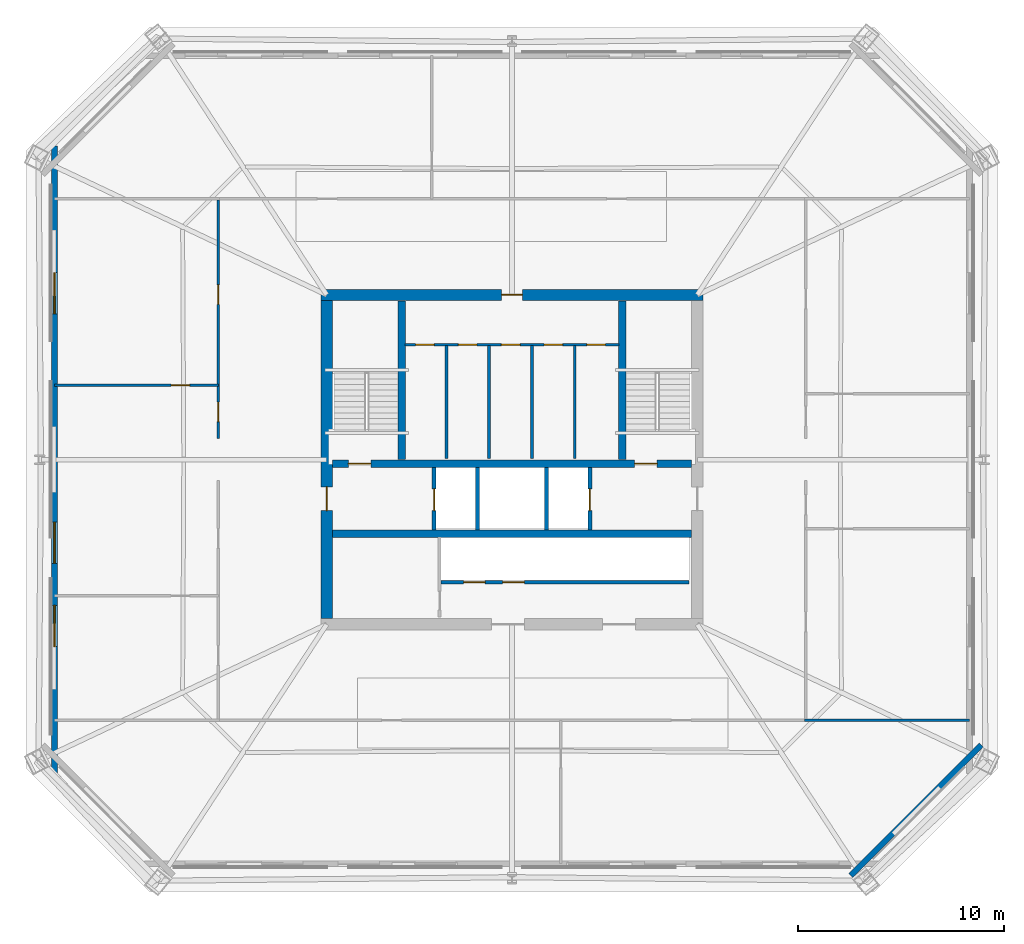
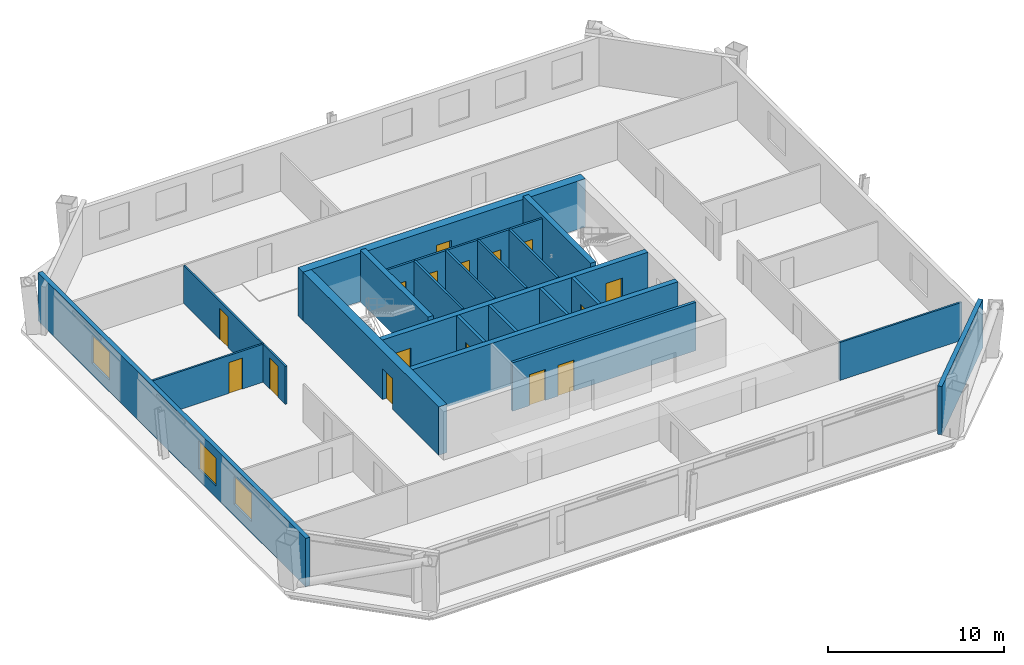
# One storey, part 3 of 7: 21 walls, 16 doors, 3 windows, 19 openings.
"""IFC4 building model written with IfcOpenShell, lengths in metres."""

from ifc_helpers import new_model, si_unit, direction, frame, frame_2d, origin, place, context, subcontext, project, spatial, rectangle, extrude, material, layer, layer_set, type_object, element, fill, save


model = new_model("IFC4")

# Units and contexts
model_context = context("Model", 3, precision=1e-05, world=origin(), true_north=direction((0.0, 1.0)))
body_context = subcontext(model_context, "Body", "Model", "MODEL_VIEW")
ifc_project = project(units=[si_unit("LENGTHUNIT", "METRE"), si_unit("AREAUNIT", "SQUARE_METRE"), si_unit("VOLUMEUNIT", "CUBIC_METRE"), si_unit("PLANEANGLEUNIT", "RADIAN"), si_unit("MASSUNIT", "GRAM", prefix="KILO")], contexts=[model_context])

# Site, building, storey
site_placement = place(None, origin())
site = spatial("IfcSite", under=ifc_project, at=site_placement, CompositionType="ELEMENT")
building_placement = place(site_placement, origin())
building = spatial("IfcBuilding", under=site, at=building_placement, Name="Caelvoria Tower", CompositionType="ELEMENT")
storey_placement = place(building_placement, frame((0.0, 0.0, 124.0)))
storey = spatial("IfcBuildingStorey", under=building, at=storey_placement, Name="L32", CompositionType="ELEMENT", Elevation=124.0)

# Wall, openings, doors
ifc_material_1 = material(Name="Concrete C50/60", Category="concrete")
ifc_layer_1 = layer(ifc_material_1, 0.35009765625, Name="Concrete C50/60")
ifc_layer_set_1 = layer_set([ifc_layer_1], Name="Core Internal Shear Wall 350 - Concrete C50/60")
wall_type_1 = type_object("IfcWallType", Name="Core Internal Shear Wall 350", PredefinedType="SHEAR", material=ifc_layer_set_1)
wall_1_placement = place(storey_placement, frame((37.27490234375, 31.800048828125, 0.0), z_axis=(0.0, 0.0, 1.0), x_axis=(1.0, 0.0, 0.0)))
wall_1 = element("IfcWall", 1, at=wall_1_placement, inside=storey, type_object=wall_type_1, Name="Core Shear Wall L32 M1", PredefinedType="SHEAR", context=body_context, shape_type="SweptSolid", body=[
    extrude(rectangle(XDim=17.4501953125, YDim=0.35009765625, at=frame_2d((8.72509765625, 0.0))), origin(), (0.0, 0.0, 1.0), 3.360107421875),
])
opening_1_placement = place(wall_1_placement, frame((0.77490234375, 0.0, 0.0)))
opening_1 = element("IfcOpeningElement", 2, at=opening_1_placement, cuts=wall_1, Name="Opening ID-01", PredefinedType="OPENING", context=body_context, shape_type="SweptSolid", body=[
    extrude(rectangle(XDim=1.10009765625, YDim=2.14990234375, at=frame_2d((0.550048828125, 1.074951171875))), frame((0.0, 0.18505859375, 0.0), z_axis=(0.0, -1.0, 0.0), x_axis=(1.0, 0.0, 0.0)), (0.0, 0.0, 1.0), 0.3701171875),
])
opening_2_placement = place(wall_1_placement, frame((14.675048828125, 0.0, 0.0)))
opening_2 = element("IfcOpeningElement", 3, at=opening_2_placement, cuts=wall_1, Name="Opening ID-01", PredefinedType="OPENING", context=body_context, shape_type="SweptSolid", body=[
    extrude(rectangle(XDim=1.10009765625, YDim=2.14990234375, at=frame_2d((0.550048828125, 1.074951171875))), frame((0.0, 0.18505859375, 0.0), z_axis=(0.0, -1.0, 0.0), x_axis=(1.0, 0.0, 0.0)), (0.0, 0.0, 1.0), 0.3701171875),
])
ifc_material_2 = material(Name="Painted Hollow Steel Fire Door", Category="steel")
door_type_1 = type_object("IfcDoorType", Name="Fire Door FD90S 1100x2150", OperationType="NOTDEFINED", PredefinedType="DOOR", material=ifc_material_2)
door_1_placement = place(opening_1_placement, origin())
door_1 = element("IfcDoor", 4, at=door_1_placement, inside=storey, type_object=door_type_1, Name="Core Door DR-L32-ST1", OperationType="SINGLE_SWING_LEFT", OverallHeight=2.14990234375, OverallWidth=1.10009765625, PredefinedType="DOOR", context=body_context, shape_type="SweptSolid", body=[
    extrude(rectangle(XDim=1.10009765625, YDim=2.14990234375, at=frame_2d((0.550048828125, 1.074951171875))), frame((0.0, 0.02490234375, 0.0), z_axis=(0.0, -1.0, 0.0), x_axis=(1.0, 0.0, 0.0)), (0.0, 0.0, 1.0), 0.050048828125),
])
fill(opening_1, door_1)
door_2_placement = place(opening_2_placement, origin())
door_2 = element("IfcDoor", 5, at=door_2_placement, inside=storey, type_object=door_type_1, Name="Core Door DR-L32-ST2", OperationType="SINGLE_SWING_RIGHT", OverallHeight=2.14990234375, OverallWidth=1.10009765625, PredefinedType="DOOR", context=body_context, shape_type="SweptSolid", body=[
    extrude(rectangle(XDim=1.10009765625, YDim=2.14990234375, at=frame_2d((0.550048828125, 1.074951171875))), frame((0.0, 0.02490234375, 0.0), z_axis=(0.0, -1.0, 0.0), x_axis=(1.0, 0.0, 0.0)), (0.0, 0.0, 1.0), 0.050048828125),
])
fill(opening_2, door_2)

# Walls
wall_2_placement = place(storey_placement, frame((37.27490234375, 28.39990234375, 0.0), z_axis=(0.0, 0.0, 1.0), x_axis=(1.0, 0.0, 0.0)))
element("IfcWall", 6, at=wall_2_placement, inside=storey, type_object=wall_type_1, Name="Core Shear Wall L32 M2", PredefinedType="SHEAR", context=body_context, shape_type="SweptSolid", body=[
    extrude(rectangle(XDim=17.4501953125, YDim=0.35009765625, at=frame_2d((8.72509765625, 0.0))), origin(), (0.0, 0.0, 1.0), 3.360107421875),
])
for number, where, z_axis, x_axis, name in (
    (7, (40.64990234375, 32.0, 0.0), (0.0, 0.0, 1.0), (0.0, 1.0, 0.0), "Interior Partition IW-L32-ST1E"),
    (8, (51.35009765625, 32.0, 0.0), (0.0, 0.0, 1.0), (0.0, 1.0, 0.0), "Interior Partition IW-L32-ST2W"),
):
    element("IfcWall", number, at=place(storey_placement, frame(where, z_axis=z_axis, x_axis=x_axis)), inside=storey, type_object=wall_type_1, Name=name, PredefinedType="SHEAR", context=body_context, shape_type="SweptSolid", body=[
        extrude(rectangle(XDim=7.699951171875, YDim=0.35009765625, at=frame_2d((3.85009765625, 0.0))), origin(), (0.0, 0.0, 1.0), 3.60009765625),
    ])
ifc_material_3 = material(Name="Moisture-Resistant Gypsum on Steel Stud", Category="steel")
ifc_layer_2 = layer(ifc_material_3, 0.139892578125, Name="Moisture-Resistant Gypsum on Steel Stud")
ifc_layer_set_2 = layer_set([ifc_layer_2], Name="Core Sanitary Acoustic Partition Wall 140 - Moisture-Resistant Gypsum on Steel Stud")
wall_type_2 = type_object("IfcWallType", Name="Core Sanitary Acoustic Partition Wall 140", PredefinedType="PARTITIONING", material=ifc_layer_set_2)
for number, where, z_axis, x_axis, name in (
    (9, (42.81005859375, 32.050048828125, 0.0), (0.0, 0.0, 1.0), (0.0, 1.0, 0.0), "Interior Partition IW-L32-C1V0"),
    (10, (44.889892578125, 32.050048828125, 0.0), (0.0, 0.0, 1.0), (0.0, 1.0, 0.0), "Interior Partition IW-L32-C1V1"),
    (11, (46.969970703125, 32.050048828125, 0.0), (0.0, 0.0, 1.0), (0.0, 1.0, 0.0), "Interior Partition IW-L32-C1V2"),
    (12, (49.050048828125, 32.050048828125, 0.0), (0.0, 0.0, 1.0), (0.0, 1.0, 0.0), "Interior Partition IW-L32-C1V3"),
):
    element("IfcWall", number, at=place(storey_placement, frame(where, z_axis=z_axis, x_axis=x_axis)), inside=storey, type_object=wall_type_2, Name=name, PredefinedType="PARTITIONING", context=body_context, shape_type="SweptSolid", body=[
        extrude(rectangle(XDim=5.5, YDim=0.139892578125, at=frame_2d((2.75, 0.0))), origin(), (0.0, 0.0, 1.0), 3.360107421875),
    ])

# Wall, openings, doors
wall_3_placement = place(storey_placement, frame((40.800048828125, 37.580078125, 0.0), z_axis=(0.0, 0.0, 1.0), x_axis=(1.0, 0.0, 0.0)))
wall_3 = element("IfcWall", 13, at=wall_3_placement, inside=storey, type_object=wall_type_2, Name="Interior Partition IW-L32-C1H", PredefinedType="PARTITIONING", context=body_context, shape_type="SweptSolid", body=[
    extrude(rectangle(XDim=10.39990234375, YDim=0.139892578125, at=frame_2d((5.199951171875, 0.0))), origin(), (0.0, 0.0, 1.0), 3.360107421875),
])
opening_3_placement = place(wall_3_placement, frame((0.52001953125, 0.0, 0.0)))
opening_3 = element("IfcOpeningElement", 14, at=opening_3_placement, cuts=wall_3, Name="Opening ID-06", PredefinedType="OPENING", context=body_context, shape_type="SweptSolid", body=[
    extrude(rectangle(XDim=0.89990234375, YDim=2.14990234375, at=frame_2d((0.449951171875, 1.074951171875))), frame((0.0, 0.079833984375, 0.0), z_axis=(0.0, -1.0, 0.0), x_axis=(1.0, 0.0, 0.0)), (0.0, 0.0, 1.0), 0.159912109375),
])
opening_4_placement = place(wall_3_placement, frame((2.60009765625, 0.0, 0.0)))
opening_4 = element("IfcOpeningElement", 15, at=opening_4_placement, cuts=wall_3, Name="Opening ID-06", PredefinedType="OPENING", context=body_context, shape_type="SweptSolid", body=[
    extrude(rectangle(XDim=0.89990234375, YDim=2.14990234375, at=frame_2d((0.449951171875, 1.074951171875))), frame((0.0, 0.079833984375, 0.0), z_axis=(0.0, -1.0, 0.0), x_axis=(1.0, 0.0, 0.0)), (0.0, 0.0, 1.0), 0.159912109375),
])
opening_5_placement = place(wall_3_placement, frame((4.679931640625, 0.0, 0.0)))
opening_5 = element("IfcOpeningElement", 16, at=opening_5_placement, cuts=wall_3, Name="Opening ID-07", PredefinedType="OPENING", context=body_context, shape_type="SweptSolid", body=[
    extrude(rectangle(XDim=0.919921875, YDim=2.14990234375, at=frame_2d((0.4599609375, 1.074951171875))), frame((0.0, 0.079833984375, 0.0), z_axis=(0.0, -1.0, 0.0), x_axis=(1.0, 0.0, 0.0)), (0.0, 0.0, 1.0), 0.159912109375),
])
opening_6_placement = place(wall_3_placement, frame((6.760009765625, 0.0, 0.0)))
opening_6 = element("IfcOpeningElement", 17, at=opening_6_placement, cuts=wall_3, Name="Opening ID-06", PredefinedType="OPENING", context=body_context, shape_type="SweptSolid", body=[
    extrude(rectangle(XDim=0.89990234375, YDim=2.14990234375, at=frame_2d((0.449951171875, 1.074951171875))), frame((0.0, 0.079833984375, 0.0), z_axis=(0.0, -1.0, 0.0), x_axis=(1.0, 0.0, 0.0)), (0.0, 0.0, 1.0), 0.159912109375),
])
opening_7_placement = place(wall_3_placement, frame((8.840087890625, 0.0, 0.0)))
opening_7 = element("IfcOpeningElement", 18, at=opening_7_placement, cuts=wall_3, Name="Opening ID-06", PredefinedType="OPENING", context=body_context, shape_type="SweptSolid", body=[
    extrude(rectangle(XDim=0.89990234375, YDim=2.14990234375, at=frame_2d((0.449951171875, 1.074951171875))), frame((0.0, 0.079833984375, 0.0), z_axis=(0.0, -1.0, 0.0), x_axis=(1.0, 0.0, 0.0)), (0.0, 0.0, 1.0), 0.159912109375),
])
ifc_material_4 = material(Name="Engineered Andean Oak Accessible Door", Category="wood")
door_type_2 = type_object("IfcDoorType", Name="Accessible WC Door 950x2150", OperationType="NOTDEFINED", PredefinedType="DOOR", material=ifc_material_4)
door_3_placement = place(opening_5_placement, origin())
door_3 = element("IfcDoor", 19, at=door_3_placement, inside=storey, type_object=door_type_2, Name="Interior Door DR-L32-C1-3", OperationType="SINGLE_SWING_LEFT", OverallHeight=2.14990234375, OverallWidth=0.919921875, PredefinedType="DOOR", context=body_context, shape_type="SweptSolid", body=[
    extrude(rectangle(XDim=0.919921875, YDim=2.14990234375, at=frame_2d((0.4599609375, 1.074951171875))), frame((0.0, 0.02490234375, 0.0), z_axis=(0.0, -1.0, 0.0), x_axis=(1.0, 0.0, 0.0)), (0.0, 0.0, 1.0), 0.050048828125),
])
fill(opening_5, door_3)
ifc_material_5 = material(Name="Engineered Andean Oak Veneer Door", Category="wood")
door_type_3 = type_object("IfcDoorType", Name="Interior Timber Door 900x2150", OperationType="NOTDEFINED", PredefinedType="DOOR", material=ifc_material_5)
door_4_placement = place(opening_3_placement, origin())
door_4 = element("IfcDoor", 20, at=door_4_placement, inside=storey, type_object=door_type_3, Name="Interior Door DR-L32-C1-1", OperationType="SINGLE_SWING_LEFT", OverallHeight=2.14990234375, OverallWidth=0.89990234375, PredefinedType="DOOR", context=body_context, shape_type="SweptSolid", body=[
    extrude(rectangle(XDim=0.89990234375, YDim=2.14990234375, at=frame_2d((0.449951171875, 1.074951171875))), frame((0.0, 0.02490234375, 0.0), z_axis=(0.0, -1.0, 0.0), x_axis=(1.0, 0.0, 0.0)), (0.0, 0.0, 1.0), 0.050048828125),
])
fill(opening_3, door_4)
door_5_placement = place(opening_4_placement, origin())
door_5 = element("IfcDoor", 21, at=door_5_placement, inside=storey, type_object=door_type_3, Name="Interior Door DR-L32-C1-2", OperationType="SINGLE_SWING_RIGHT", OverallHeight=2.14990234375, OverallWidth=0.89990234375, PredefinedType="DOOR", context=body_context, shape_type="SweptSolid", body=[
    extrude(rectangle(XDim=0.89990234375, YDim=2.14990234375, at=frame_2d((0.449951171875, 1.074951171875))), frame((0.0, 0.02490234375, 0.0), z_axis=(0.0, -1.0, 0.0), x_axis=(1.0, 0.0, 0.0)), (0.0, 0.0, 1.0), 0.050048828125),
])
fill(opening_4, door_5)
door_6_placement = place(opening_6_placement, origin())
door_6 = element("IfcDoor", 22, at=door_6_placement, inside=storey, type_object=door_type_3, Name="Interior Door DR-L32-C1-4", OperationType="SINGLE_SWING_RIGHT", OverallHeight=2.14990234375, OverallWidth=0.89990234375, PredefinedType="DOOR", context=body_context, shape_type="SweptSolid", body=[
    extrude(rectangle(XDim=0.89990234375, YDim=2.14990234375, at=frame_2d((0.449951171875, 1.074951171875))), frame((0.0, 0.02490234375, 0.0), z_axis=(0.0, -1.0, 0.0), x_axis=(1.0, 0.0, 0.0)), (0.0, 0.0, 1.0), 0.050048828125),
])
fill(opening_6, door_6)
door_7_placement = place(opening_7_placement, origin())
door_7 = element("IfcDoor", 23, at=door_7_placement, inside=storey, type_object=door_type_3, Name="Interior Door DR-L32-C1-5", OperationType="SINGLE_SWING_LEFT", OverallHeight=2.14990234375, OverallWidth=0.89990234375, PredefinedType="DOOR", context=body_context, shape_type="SweptSolid", body=[
    extrude(rectangle(XDim=0.89990234375, YDim=2.14990234375, at=frame_2d((0.449951171875, 1.074951171875))), frame((0.0, 0.02490234375, 0.0), z_axis=(0.0, -1.0, 0.0), x_axis=(1.0, 0.0, 0.0)), (0.0, 0.0, 1.0), 0.050048828125),
])
fill(opening_7, door_7)

# Wall
ifc_material_6 = material(Name="Precast Concrete C40/50 with Bronze Cladding", Category="concrete")
ifc_layer_3 = layer(ifc_material_6, 0.280029296875, Name="Precast Concrete C40/50 with Bronze Cladding")
ifc_layer_set_3 = layer_set([ifc_layer_3], Name="Exterior Precast Concrete C40/50 Bronze-Clad Facade Wall 280 - Precast Concrete C40/50 with Bronze Cladding")
wall_type_3 = type_object("IfcWallType", Name="Exterior Precast Concrete C40/50 Bronze-Clad Facade Wall 280", PredefinedType="STANDARD", material=ifc_layer_set_3)
wall_4_placement = place(storey_placement, frame((62.45458984375, 11.80615234375, 0.0), z_axis=(0.0, 0.0, 1.0), x_axis=(0.707106781187, 0.707106781187, 0.0)))
element("IfcWall", 24, at=wall_4_placement, inside=storey, type_object=wall_type_3, Name="Exterior Facade Wall L32-E1", PredefinedType="STANDARD", context=body_context, shape_type="SweptSolid", body=[
    extrude(rectangle(XDim=8.965087890625, YDim=0.280029296875, at=frame_2d((4.482421875, 0.0))), origin(), (0.0, 0.0, 1.0), 3.360107421875),
])

# Wall, openings, windows
wall_5_placement = place(storey_placement, frame((23.780029296875, 47.239990234375, 0.0), z_axis=(0.0, 0.0, 1.0), x_axis=(0.0, -1.0, 0.0)))
wall_5 = element("IfcWall", 25, at=wall_5_placement, inside=storey, type_object=wall_type_3, Name="Exterior Facade Wall L32-E6", PredefinedType="STANDARD", context=body_context, shape_type="SweptSolid", body=[
    extrude(rectangle(XDim=30.47998046875, YDim=0.280029296875, at=frame_2d((15.239990234375, 0.0))), origin(), (0.0, 0.0, 1.0), 3.360107421875),
])
opening_8_placement = place(wall_5_placement, frame((6.159912109375, 0.0, 0.800048828125)))
opening_8 = element("IfcOpeningElement", 26, at=opening_8_placement, cuts=wall_5, Name="Opening WN-01", PredefinedType="OPENING", context=body_context, shape_type="SweptSolid", body=[
    extrude(rectangle(XDim=2.0, YDim=1.949951171875, at=frame_2d((1.0, 0.97509765625))), frame((0.0, 0.14990234375, 0.0), z_axis=(0.0, -1.0, 0.0), x_axis=(1.0, 0.0, 0.0)), (0.0, 0.0, 1.0), 0.300048828125),
])
opening_9_placement = place(wall_5_placement, frame((18.280029296875, 0.0, 0.800048828125)))
opening_9 = element("IfcOpeningElement", 27, at=opening_9_placement, cuts=wall_5, Name="Opening WN-01", PredefinedType="OPENING", context=body_context, shape_type="SweptSolid", body=[
    extrude(rectangle(XDim=2.0, YDim=1.949951171875, at=frame_2d((1.0, 0.97509765625))), frame((0.0, 0.14990234375, 0.0), z_axis=(0.0, -1.0, 0.0), x_axis=(1.0, 0.0, 0.0)), (0.0, 0.0, 1.0), 0.300048828125),
])
opening_10_placement = place(wall_5_placement, frame((22.320068359375, 0.0, 0.800048828125)))
opening_10 = element("IfcOpeningElement", 28, at=opening_10_placement, cuts=wall_5, Name="Opening WN-01", PredefinedType="OPENING", context=body_context, shape_type="SweptSolid", body=[
    extrude(rectangle(XDim=2.0, YDim=1.949951171875, at=frame_2d((1.0, 0.97509765625))), frame((0.0, 0.14990234375, 0.0), z_axis=(0.0, -1.0, 0.0), x_axis=(1.0, 0.0, 0.0)), (0.0, 0.0, 1.0), 0.300048828125),
])
ifc_material_7 = material(Name="Low-E Tinted Glass in Bronze Aluminium Frame", Category="aluminium")
window_type = type_object("IfcWindowType", Name="Tower Office Vision Window 2000x1950", PartitioningType="SINGLE_PANEL", PredefinedType="WINDOW", material=ifc_material_7)
window_1_placement = place(opening_8_placement, origin())
window_1 = element("IfcWindow", 29, at=window_1_placement, inside=storey, type_object=window_type, Name="Facade Window L32-E6-01", OverallHeight=1.949951171875, OverallWidth=2.0, PartitioningType="SINGLE_PANEL", PredefinedType="WINDOW", context=body_context, shape_type="SweptSolid", body=[
    extrude(rectangle(XDim=2.0, YDim=1.949951171875, at=frame_2d((1.0, 0.97509765625))), frame((0.0, 0.030029296875, 0.0), z_axis=(0.0, -1.0, 0.0), x_axis=(1.0, 0.0, 0.0)), (0.0, 0.0, 1.0), 0.06005859375),
])
fill(opening_8, window_1)
window_2_placement = place(opening_9_placement, origin())
window_2 = element("IfcWindow", 30, at=window_2_placement, inside=storey, type_object=window_type, Name="Facade Window L32-E6-04", OverallHeight=1.949951171875, OverallWidth=2.0, PartitioningType="SINGLE_PANEL", PredefinedType="WINDOW", context=body_context, shape_type="SweptSolid", body=[
    extrude(rectangle(XDim=2.0, YDim=1.949951171875, at=frame_2d((1.0, 0.97509765625))), frame((0.0, 0.030029296875, 0.0), z_axis=(0.0, -1.0, 0.0), x_axis=(1.0, 0.0, 0.0)), (0.0, 0.0, 1.0), 0.06005859375),
])
fill(opening_9, window_2)
window_3_placement = place(opening_10_placement, origin())
window_3 = element("IfcWindow", 31, at=window_3_placement, inside=storey, type_object=window_type, Name="Facade Window L32-E6-05", OverallHeight=1.949951171875, OverallWidth=2.0, PartitioningType="SINGLE_PANEL", PredefinedType="WINDOW", context=body_context, shape_type="SweptSolid", body=[
    extrude(rectangle(XDim=2.0, YDim=1.949951171875, at=frame_2d((1.0, 0.97509765625))), frame((0.0, 0.030029296875, 0.0), z_axis=(0.0, -1.0, 0.0), x_axis=(1.0, 0.0, 0.0)), (0.0, 0.0, 1.0), 0.06005859375),
])
fill(opening_10, window_3)

# Walls
ifc_material_8 = material(Name="Concrete Block and Fireboard Assembly", Category="concrete")
ifc_layer_4 = layer(ifc_material_8, 0.179931640625, Name="Concrete Block and Fireboard Assembly")
ifc_layer_set_4 = layer_set([ifc_layer_4], Name="Fire-Rated Hoistway Partition Wall 180 - Concrete Block and Fireboard Assembly")
wall_type_4 = type_object("IfcWallType", Name="Fire-Rated Hoistway Partition Wall 180", PredefinedType="PARTITIONING", material=ifc_layer_set_4)
for number, where, z_axis, x_axis, name in (
    (32, (44.320068359375, 28.580078125, 0.0), (0.0, 0.0, 1.0), (0.0, 1.0, 0.0), "Interior Partition IW-L32-SV1W"),
    (33, (47.679931640625, 28.580078125, 0.0), (0.0, 0.0, 1.0), (0.0, 1.0, 0.0), "Interior Partition IW-L32-SV1E"),
):
    element("IfcWall", number, at=place(storey_placement, frame(where, z_axis=z_axis, x_axis=x_axis)), inside=storey, type_object=wall_type_4, Name=name, PredefinedType="PARTITIONING", context=body_context, shape_type="SweptSolid", body=[
        extrude(rectangle(XDim=3.0400390625, YDim=0.179931640625, at=frame_2d((1.52001953125, 0.0))), origin(), (0.0, 0.0, 1.0), 3.360107421875),
    ])

# Wall, openings, doors
wall_6_placement = place(storey_placement, frame((42.550048828125, 26.050048828125, 0.0), z_axis=(0.0, 0.0, 1.0), x_axis=(1.0, 0.0, 0.0)))
wall_6 = element("IfcWall", 34, at=wall_6_placement, inside=storey, type_object=wall_type_4, Name="Interior Partition IW-L32-LFRONT", PredefinedType="PARTITIONING", context=body_context, shape_type="SweptSolid", body=[
    extrude(rectangle(XDim=12.050048828125, YDim=0.179931640625, at=frame_2d((6.02490234375, 0.0))), origin(), (0.0, 0.0, 1.0), 3.360107421875),
])
opening_11_placement = place(wall_6_placement, frame((1.10009765625, 0.0, 0.0)))
opening_11 = element("IfcOpeningElement", 35, at=opening_11_placement, cuts=wall_6, Name="Opening LD-01", PredefinedType="OPENING", context=body_context, shape_type="SweptSolid", body=[
    extrude(rectangle(XDim=1.050048828125, YDim=2.14990234375, at=frame_2d((0.52490234375, 1.074951171875))), frame((0.0, 0.099853515625, 0.0), z_axis=(0.0, -1.0, 0.0), x_axis=(1.0, 0.0, 0.0)), (0.0, 0.0, 1.0), 0.199951171875),
])
opening_12_placement = place(wall_6_placement, frame((3.0, 0.0, 0.0)))
opening_12 = element("IfcOpeningElement", 36, at=opening_12_placement, cuts=wall_6, Name="Opening LD-01", PredefinedType="OPENING", context=body_context, shape_type="SweptSolid", body=[
    extrude(rectangle(XDim=1.050048828125, YDim=2.14990234375, at=frame_2d((0.52490234375, 1.074951171875))), frame((0.0, 0.099853515625, 0.0), z_axis=(0.0, -1.0, 0.0), x_axis=(1.0, 0.0, 0.0)), (0.0, 0.0, 1.0), 0.199951171875),
])
ifc_material_9 = material(Name="Brushed Bronze Stainless Sliding Landing Door", Category="aluminium")
door_type_4 = type_object("IfcDoorType", Name="Lift Landing Sliding Door 1100x2150", OperationType="NOTDEFINED", PredefinedType="DOOR", material=ifc_material_9)
door_8_placement = place(opening_11_placement, origin())
door_8 = element("IfcDoor", 37, at=door_8_placement, inside=storey, type_object=door_type_4, Name="Interior Door LD-L32-PM1", OperationType="SLIDING_TO_LEFT", OverallHeight=2.14990234375, OverallWidth=1.050048828125, PredefinedType="DOOR", context=body_context, shape_type="SweptSolid", body=[
    extrude(rectangle(XDim=1.050048828125, YDim=2.14990234375, at=frame_2d((0.52490234375, 1.074951171875))), frame((0.0, 0.02490234375, 0.0), z_axis=(0.0, -1.0, 0.0), x_axis=(1.0, 0.0, 0.0)), (0.0, 0.0, 1.0), 0.050048828125),
])
fill(opening_11, door_8)
door_9_placement = place(opening_12_placement, origin())
door_9 = element("IfcDoor", 38, at=door_9_placement, inside=storey, type_object=door_type_4, Name="Interior Door LD-L32-PM2", OperationType="SLIDING_TO_RIGHT", OverallHeight=2.14990234375, OverallWidth=1.050048828125, PredefinedType="DOOR", context=body_context, shape_type="SweptSolid", body=[
    extrude(rectangle(XDim=1.050048828125, YDim=2.14990234375, at=frame_2d((0.52490234375, 1.074951171875))), frame((0.0, 0.02490234375, 0.0), z_axis=(0.0, -1.0, 0.0), x_axis=(1.0, 0.0, 0.0)), (0.0, 0.0, 1.0), 0.050048828125),
])
fill(opening_12, door_9)

# Wall, opening, door
ifc_layer_5 = layer(ifc_material_8, 0.199951171875, Name="Concrete Block and Fireboard Assembly")
ifc_layer_set_5 = layer_set([ifc_layer_5], Name="Fire-Rated Shaft and Core Partition Wall 200 - Concrete Block and Fireboard Assembly")
wall_type_5 = type_object("IfcWallType", Name="Fire-Rated Shaft and Core Partition Wall 200", PredefinedType="PARTITIONING", material=ifc_layer_set_5)
wall_7_placement = place(storey_placement, frame((42.219970703125, 28.580078125, 0.0), z_axis=(0.0, 0.0, 1.0), x_axis=(0.0, 1.0, 0.0)))
wall_7 = element("IfcWall", 39, at=wall_7_placement, inside=storey, type_object=wall_type_5, Name="Interior Partition IW-L32-LF1W", PredefinedType="PARTITIONING", context=body_context, shape_type="SweptSolid", body=[
    extrude(rectangle(XDim=3.0400390625, YDim=0.199951171875, at=frame_2d((1.52001953125, 0.0))), origin(), (0.0, 0.0, 1.0), 3.360107421875),
])
opening_13_placement = place(wall_7_placement, frame((0.949951171875, 0.0, 0.0)))
opening_13 = element("IfcOpeningElement", 40, at=opening_13_placement, cuts=wall_7, Name="Opening LD-01", PredefinedType="OPENING", context=body_context, shape_type="SweptSolid", body=[
    extrude(rectangle(XDim=1.050048828125, YDim=2.14990234375, at=frame_2d((0.52490234375, 1.074951171875))), frame((0.0, 0.10986328125, 0.0), z_axis=(0.0, -1.0, 0.0), x_axis=(1.0, 0.0, 0.0)), (0.0, 0.0, 1.0), 0.219970703125),
])
door_10_placement = place(opening_13_placement, origin())
door_10 = element("IfcDoor", 41, at=door_10_placement, inside=storey, type_object=door_type_4, Name="Interior Door LD-L32-LF1", OperationType="SLIDING_TO_LEFT", OverallHeight=2.14990234375, OverallWidth=1.050048828125, PredefinedType="DOOR", context=body_context, shape_type="SweptSolid", body=[
    extrude(rectangle(XDim=1.050048828125, YDim=2.14990234375, at=frame_2d((0.52490234375, 1.074951171875))), frame((0.0, 0.02490234375, 0.0), z_axis=(0.0, -1.0, 0.0), x_axis=(1.0, 0.0, 0.0)), (0.0, 0.0, 1.0), 0.050048828125),
])
fill(opening_13, door_10)

wall_8_placement = place(storey_placement, frame((49.780029296875, 28.580078125, 0.0), z_axis=(0.0, 0.0, 1.0), x_axis=(0.0, 1.0, 0.0)))
wall_8 = element("IfcWall", 42, at=wall_8_placement, inside=storey, type_object=wall_type_5, Name="Interior Partition IW-L32-LF2E", PredefinedType="PARTITIONING", context=body_context, shape_type="SweptSolid", body=[
    extrude(rectangle(XDim=3.0400390625, YDim=0.199951171875, at=frame_2d((1.52001953125, 0.0))), origin(), (0.0, 0.0, 1.0), 3.360107421875),
])
opening_14_placement = place(wall_8_placement, frame((0.949951171875, 0.0, 0.0)))
opening_14 = element("IfcOpeningElement", 43, at=opening_14_placement, cuts=wall_8, Name="Opening LD-01", PredefinedType="OPENING", context=body_context, shape_type="SweptSolid", body=[
    extrude(rectangle(XDim=1.050048828125, YDim=2.14990234375, at=frame_2d((0.52490234375, 1.074951171875))), frame((0.0, 0.10986328125, 0.0), z_axis=(0.0, -1.0, 0.0), x_axis=(1.0, 0.0, 0.0)), (0.0, 0.0, 1.0), 0.219970703125),
])
door_11_placement = place(opening_14_placement, origin())
door_11 = element("IfcDoor", 44, at=door_11_placement, inside=storey, type_object=door_type_4, Name="Interior Door LD-L32-LF2", OperationType="SLIDING_TO_RIGHT", OverallHeight=2.14990234375, OverallWidth=1.050048828125, PredefinedType="DOOR", context=body_context, shape_type="SweptSolid", body=[
    extrude(rectangle(XDim=1.050048828125, YDim=2.14990234375, at=frame_2d((0.52490234375, 1.074951171875))), frame((0.0, 0.02490234375, 0.0), z_axis=(0.0, -1.0, 0.0), x_axis=(1.0, 0.0, 0.0)), (0.0, 0.0, 1.0), 0.050048828125),
])
fill(opening_14, door_11)

ifc_material_10 = material(Name="Concrete C55/67", Category="concrete")
ifc_layer_6 = layer(ifc_material_10, 0.550048828125, Name="Concrete C55/67")
ifc_layer_set_6 = layer_set([ifc_layer_6], Name="Mid Core Shear Wall 550 - Concrete C55/67")
wall_type_6 = type_object("IfcWallType", Name="Mid Core Shear Wall 550", PredefinedType="SHEAR", material=ifc_layer_set_6)
wall_9_placement = place(storey_placement, frame((36.72509765625, 40.0, 0.0), z_axis=(0.0, 0.0, 1.0), x_axis=(1.0, 0.0, 0.0)))
wall_9 = element("IfcWall", 45, at=wall_9_placement, inside=storey, type_object=wall_type_6, Name="Core Shear Wall L32 N", PredefinedType="SHEAR", context=body_context, shape_type="SweptSolid", body=[
    extrude(rectangle(XDim=18.5498046875, YDim=0.550048828125, at=frame_2d((9.27490234375, 0.0))), origin(), (0.0, 0.0, 1.0), 3.360107421875),
])
opening_15_placement = place(wall_9_placement, frame((8.77490234375, 0.0, 0.0)))
opening_15 = element("IfcOpeningElement", 46, at=opening_15_placement, cuts=wall_9, Name="Opening ID-03", PredefinedType="OPENING", context=body_context, shape_type="SweptSolid", body=[
    extrude(rectangle(XDim=1.0, YDim=2.14990234375, at=frame_2d((0.5, 1.074951171875))), frame((0.0, 0.284912109375, 0.0), z_axis=(0.0, -1.0, 0.0), x_axis=(1.0, 0.0, 0.0)), (0.0, 0.0, 1.0), 0.570068359375),
])
door_type_5 = type_object("IfcDoorType", Name="Fire Door FD60S 1000x2150", OperationType="NOTDEFINED", PredefinedType="DOOR", material=ifc_material_2)
door_12_placement = place(opening_15_placement, origin())
door_12 = element("IfcDoor", 47, at=door_12_placement, inside=storey, type_object=door_type_5, Name="Core Door DR-L32-WC-MAIN", OperationType="SINGLE_SWING_RIGHT", OverallHeight=2.14990234375, OverallWidth=1.0, PredefinedType="DOOR", context=body_context, shape_type="SweptSolid", body=[
    extrude(rectangle(XDim=1.0, YDim=2.14990234375, at=frame_2d((0.5, 1.074951171875))), frame((0.0, 0.02490234375, 0.0), z_axis=(0.0, -1.0, 0.0), x_axis=(1.0, 0.0, 0.0)), (0.0, 0.0, 1.0), 0.050048828125),
])
fill(opening_15, door_12)

wall_10_placement = place(storey_placement, frame((37.0, 24.27490234375, 0.0), z_axis=(0.0, 0.0, 1.0), x_axis=(0.0, 1.0, 0.0)))
wall_10 = element("IfcWall", 48, at=wall_10_placement, inside=storey, type_object=wall_type_6, Name="Core Shear Wall L32 W", PredefinedType="SHEAR", context=body_context, shape_type="SweptSolid", body=[
    extrude(rectangle(XDim=15.4501953125, YDim=0.550048828125, at=frame_2d((7.72509765625, 0.0))), origin(), (0.0, 0.0, 1.0), 3.360107421875),
])
opening_16_placement = place(wall_10_placement, frame((5.25, 0.0, 0.0)))
opening_16 = element("IfcOpeningElement", 49, at=opening_16_placement, cuts=wall_10, Name="Opening ID-02", PredefinedType="OPENING", context=body_context, shape_type="SweptSolid", body=[
    extrude(rectangle(XDim=1.14990234375, YDim=2.14990234375, at=frame_2d((0.574951171875, 1.074951171875))), frame((0.0, 0.284912109375, 0.0), z_axis=(0.0, -1.0, 0.0), x_axis=(1.0, 0.0, 0.0)), (0.0, 0.0, 1.0), 0.570068359375),
])
door_type_6 = type_object("IfcDoorType", Name="Fire Door FD60S 1150x2150", OperationType="NOTDEFINED", PredefinedType="DOOR", material=ifc_material_2)
door_13_placement = place(opening_16_placement, origin())
door_13 = element("IfcDoor", 50, at=door_13_placement, inside=storey, type_object=door_type_6, Name="Core Door DR-L32-FFLW-OUT", OperationType="SINGLE_SWING_LEFT", OverallHeight=2.14990234375, OverallWidth=1.14990234375, PredefinedType="DOOR", context=body_context, shape_type="SweptSolid", body=[
    extrude(rectangle(XDim=1.14990234375, YDim=2.14990234375, at=frame_2d((0.574951171875, 1.074951171875))), frame((0.0, 0.02490234375, 0.0), z_axis=(0.0, -1.0, 0.0), x_axis=(1.0, 0.0, 0.0)), (0.0, 0.0, 1.0), 0.050048828125),
])
fill(opening_16, door_13)

ifc_material_11 = material(Name="Acoustic Gypsum Board on Light-Gauge Stud", Category="gypsum")
ifc_layer_7 = layer(ifc_material_11, 0.1201171875, Name="Acoustic Gypsum Board on Light-Gauge Stud")
ifc_layer_set_7 = layer_set([ifc_layer_7], Name="Tenant Suite Acoustic Partition Wall 120 - Acoustic Gypsum Board on Light-Gauge Stud")
wall_type_7 = type_object("IfcWallType", Name="Tenant Suite Acoustic Partition Wall 120", PredefinedType="PARTITIONING", material=ifc_layer_set_7)
wall_11_placement = place(storey_placement, frame((31.739990234375, 35.62255859375, 0.0), z_axis=(0.0, 0.0, 1.0), x_axis=(-1.0, 0.0, 0.0)))
wall_11 = element("IfcWall", 51, at=wall_11_placement, inside=storey, type_object=wall_type_7, Name="Interior Partition IW-L32-WD-01-0", PredefinedType="PARTITIONING", context=body_context, shape_type="SweptSolid", body=[
    extrude(rectangle(XDim=7.9599609375, YDim=0.1201171875, at=frame_2d((3.97998046875, 0.0))), origin(), (0.0, 0.0, 1.0), 2.639892578125),
])
opening_17_placement = place(wall_11_placement, frame((1.39990234375, 0.0, 0.0)))
opening_17 = element("IfcOpeningElement", 52, at=opening_17_placement, cuts=wall_11, Name="Opening ID-06", PredefinedType="OPENING", context=body_context, shape_type="SweptSolid", body=[
    extrude(rectangle(XDim=0.89990234375, YDim=2.14990234375, at=frame_2d((0.449951171875, 1.074951171875))), frame((0.0, 0.070068359375, 0.0), z_axis=(0.0, -1.0, 0.0), x_axis=(1.0, 0.0, 0.0)), (0.0, 0.0, 1.0), 0.14013671875),
])
door_14_placement = place(opening_17_placement, origin())
door_14 = element("IfcDoor", 53, at=door_14_placement, inside=storey, type_object=door_type_3, Name="Interior Door DR-L32-WM-01-0", OperationType="SINGLE_SWING_LEFT", OverallHeight=2.14990234375, OverallWidth=0.89990234375, PredefinedType="DOOR", context=body_context, shape_type="SweptSolid", body=[
    extrude(rectangle(XDim=0.89990234375, YDim=2.14990234375, at=frame_2d((0.449951171875, 1.074951171875))), frame((0.0, 0.02490234375, 0.0), z_axis=(0.0, -1.0, 0.0), x_axis=(1.0, 0.0, 0.0)), (0.0, 0.0, 1.0), 0.050048828125),
])
fill(opening_17, door_14)

# Wall, openings, doors
wall_12_placement = place(storey_placement, frame((31.739990234375, 33.02001953125, 0.0), z_axis=(0.0, 0.0, 1.0), x_axis=(0.0, 1.0, 0.0)))
wall_12 = element("IfcWall", 54, at=wall_12_placement, inside=storey, type_object=wall_type_7, Name="Interior Partition IW-L32-WCW-1", PredefinedType="PARTITIONING", context=body_context, shape_type="SweptSolid", body=[
    extrude(rectangle(XDim=11.580078125, YDim=0.1201171875, at=frame_2d((5.7900390625, 0.0))), origin(), (0.0, 0.0, 1.0), 2.639892578125),
])
opening_18_placement = place(wall_12_placement, frame((0.826416015625, 0.0, 0.0)))
opening_18 = element("IfcOpeningElement", 55, at=opening_18_placement, cuts=wall_12, Name="Opening ID-05", PredefinedType="OPENING", context=body_context, shape_type="SweptSolid", body=[
    extrude(rectangle(XDim=0.949951171875, YDim=2.14990234375, at=frame_2d((0.47509765625, 1.074951171875))), frame((0.0, 0.070068359375, 0.0), z_axis=(0.0, -1.0, 0.0), x_axis=(1.0, 0.0, 0.0)), (0.0, 0.0, 1.0), 0.14013671875),
])
opening_19_placement = place(wall_12_placement, frame((6.516357421875, 0.0, 0.0)))
opening_19 = element("IfcOpeningElement", 56, at=opening_19_placement, cuts=wall_12, Name="Opening ID-05", PredefinedType="OPENING", context=body_context, shape_type="SweptSolid", body=[
    extrude(rectangle(XDim=0.949951171875, YDim=2.14990234375, at=frame_2d((0.47509765625, 1.074951171875))), frame((0.0, 0.070068359375, 0.0), z_axis=(0.0, -1.0, 0.0), x_axis=(1.0, 0.0, 0.0)), (0.0, 0.0, 1.0), 0.14013671875),
])
door_type_7 = type_object("IfcDoorType", Name="Interior Timber Door 950x2150", OperationType="NOTDEFINED", PredefinedType="DOOR", material=ifc_material_5)
door_15_placement = place(opening_18_placement, origin())
door_15 = element("IfcDoor", 57, at=door_15_placement, inside=storey, type_object=door_type_7, Name="Interior Door DR-L32-WC-01-0", OperationType="SINGLE_SWING_RIGHT", OverallHeight=2.14990234375, OverallWidth=0.949951171875, PredefinedType="DOOR", context=body_context, shape_type="SweptSolid", body=[
    extrude(rectangle(XDim=0.949951171875, YDim=2.14990234375, at=frame_2d((0.47509765625, 1.074951171875))), frame((0.0, 0.02490234375, 0.0), z_axis=(0.0, -1.0, 0.0), x_axis=(1.0, 0.0, 0.0)), (0.0, 0.0, 1.0), 0.050048828125),
])
fill(opening_18, door_15)
door_16_placement = place(opening_19_placement, origin())
door_16 = element("IfcDoor", 58, at=door_16_placement, inside=storey, type_object=door_type_7, Name="Interior Door DR-L32-WC-02-0", OperationType="SINGLE_SWING_LEFT", OverallHeight=2.14990234375, OverallWidth=0.949951171875, PredefinedType="DOOR", context=body_context, shape_type="SweptSolid", body=[
    extrude(rectangle(XDim=0.949951171875, YDim=2.14990234375, at=frame_2d((0.47509765625, 1.074951171875))), frame((0.0, 0.02490234375, 0.0), z_axis=(0.0, -1.0, 0.0), x_axis=(1.0, 0.0, 0.0)), (0.0, 0.0, 1.0), 0.050048828125),
])
fill(opening_19, door_16)

# Wall
wall_13_placement = place(storey_placement, frame((60.199951171875, 19.340087890625, 0.0), z_axis=(0.0, 0.0, 1.0), x_axis=(1.0, 0.0, 0.0)))
element("IfcWall", 59, at=wall_13_placement, inside=storey, type_object=wall_type_7, Name="Interior Partition IW-L32-BSE-0", PredefinedType="PARTITIONING", context=body_context, shape_type="SweptSolid", body=[
    extrude(rectangle(XDim=8.02001953125, YDim=0.1201171875, at=frame_2d((4.010009765625, 0.0))), origin(), (0.0, 0.0, 1.0), 2.639892578125),
])

save(model, "model.ifc")
